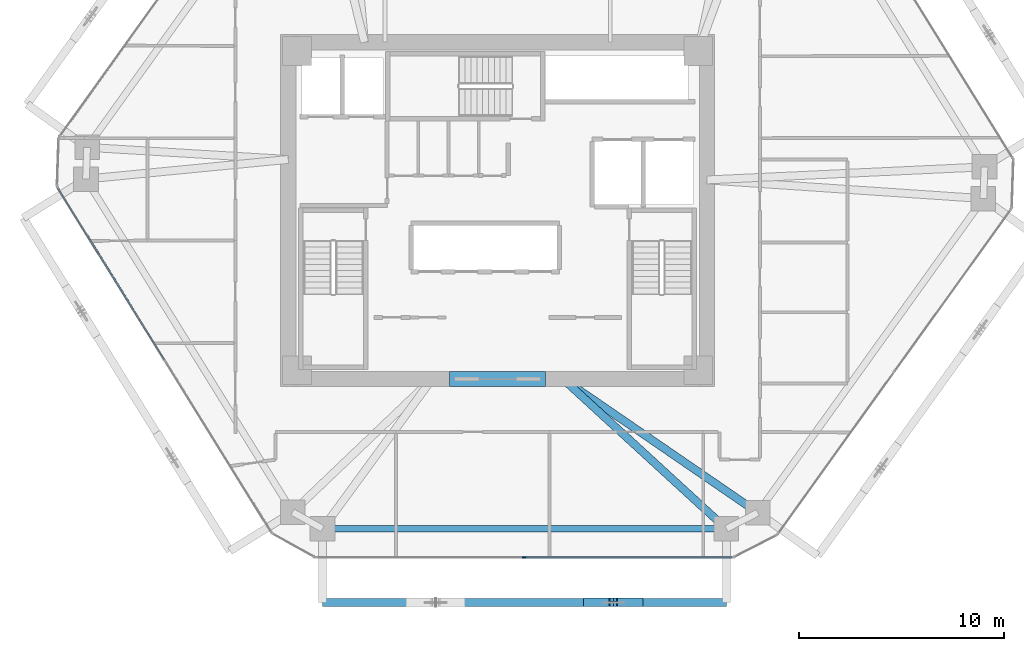
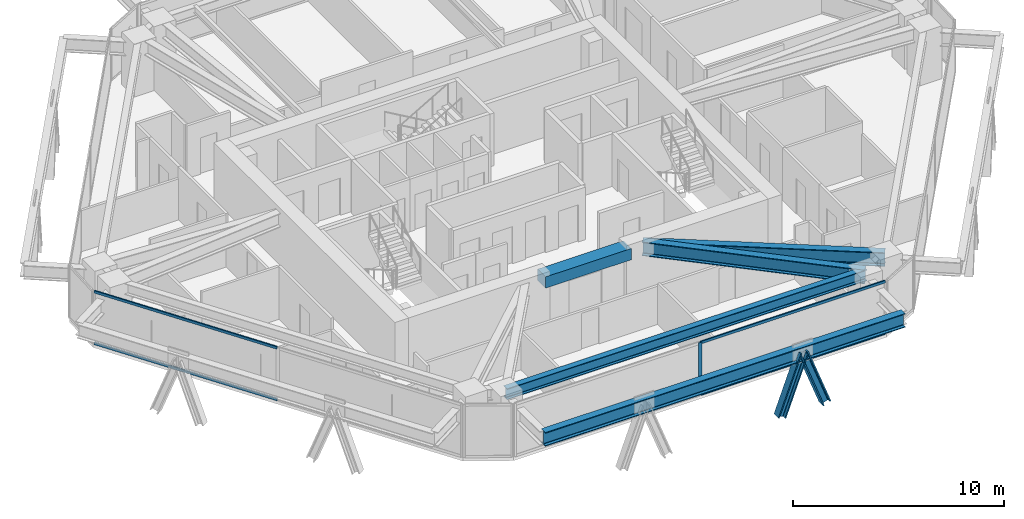
# One storey, part 3 of 16: 7 members, 5 beams, 2 elements without a shape of their own.
"""IFC4 building model written with IfcOpenShell, lengths in metres."""

import ifcopenshell
import ifcopenshell.guid

model = None  # the IFC model being written
_history = None  # IfcOwnerHistory: only IFC2X3 demands one
_inside = {}  # id of a spatial element -> (the spatial element, [elements in it])
_under = {}  # id of a project, library or spatial element -> (it, [spatial elements below it])
_declared = {}  # id of a project -> (the project, [libraries it declares])
_typed = {}  # id of a type object -> (the type object, [elements of that type])
_made_of = {}  # id of a material, layer set ... -> (it, [elements and type objects made of it])


def new_model(schema):
    """Start an empty IFC model of exactly this schema.

    Asked for "IFC4X3", IfcOpenShell would pick the latest addendum, in which some entities
    have other attributes; the version numbers below select the first issue.
    IFC2X3 requires an IfcOwnerHistory on every rooted entity: one is made here for all.
    """
    global model, _history
    if schema == "IFC4X3":
        model = ifcopenshell.file(schema_version=(4, 3, 0, 0))
    else:
        model = ifcopenshell.file(schema=schema)
    _inside.clear()
    _under.clear()
    _declared.clear()
    _typed.clear()
    _made_of.clear()
    _history = None
    if model.schema == "IFC2X3":
        org = make("IfcOrganization", Name="unknown")
        user = make(
            "IfcPersonAndOrganization",
            ThePerson=make("IfcPerson", FamilyName="unknown"),
            TheOrganization=org,
        )
        app = make(
            "IfcApplication",
            ApplicationDeveloper=org,
            Version="unknown",
            ApplicationFullName="unknown",
            ApplicationIdentifier="unknown",
        )
        _history = make(
            "IfcOwnerHistory",
            OwningUser=user,
            OwningApplication=app,
            ChangeAction="ADDED",
            CreationDate=0,
        )
    return model


def make(cls, **values):
    """One entity of the class cls with the attributes given. An attribute that is None is left unset."""
    return model.create_entity(
        cls, **{name: value for name, value in values.items() if value is not None}
    )


def rooted(cls, **values):
    """An entity with a GlobalId (a new one), such as an element, a storey or a relation."""
    return make(cls, GlobalId=ifcopenshell.guid.new(), OwnerHistory=_history, **values)


def si_unit(unit_type, name, prefix=None):
    """IfcSIUnit, for example si_unit("LENGTHUNIT", "METRE", prefix="MILLI")."""
    return make("IfcSIUnit", UnitType=unit_type, Prefix=prefix, Name=name)


def assignment(units):
    """IfcUnitAssignment: the units of a project."""
    return None if units is None else make("IfcUnitAssignment", Units=units)


def point(xyz):
    """IfcCartesianPoint."""
    return None if xyz is None else make("IfcCartesianPoint", Coordinates=xyz)


def direction(xyz):
    """IfcDirection."""
    return None if xyz is None else make("IfcDirection", DirectionRatios=xyz)


def frame(location, z_axis=None, x_axis=None):
    """IfcAxis2Placement3D, a coordinate frame: its origin and axes. An axis left out is left unset."""
    return make(
        "IfcAxis2Placement3D",
        Location=point(location),
        Axis=direction(z_axis),
        RefDirection=direction(x_axis),
    )


def frame_2d(location, x_axis=None):
    """IfcAxis2Placement2D, a coordinate frame in the plane: its origin and x axis."""
    return make(
        "IfcAxis2Placement2D", Location=point(location), RefDirection=direction(x_axis)
    )


def origin():
    """The frame at (0, 0, 0) with its axes left unset."""
    return frame((0.0, 0.0, 0.0))


def origin_2d():
    """The frame at (0, 0) in the plane with its x axis left unset."""
    return frame_2d((0.0, 0.0))


def place(relative_to, where):
    """IfcLocalPlacement: puts the frame where relative to a parent placement (None: the world)."""
    return make(
        "IfcLocalPlacement", PlacementRelTo=relative_to, RelativePlacement=where
    )


def context(
    kind, dimensions, precision=None, world=None, true_north=None, identifier=None
):
    """IfcGeometricRepresentationContext, for example the 3D "Model" context."""
    return make(
        "IfcGeometricRepresentationContext",
        ContextIdentifier=identifier,
        ContextType=kind,
        CoordinateSpaceDimension=dimensions,
        Precision=precision,
        WorldCoordinateSystem=world,
        TrueNorth=true_north,
    )


def subcontext(parent, identifier, kind, view, scale=None):
    """IfcGeometricRepresentationSubContext, for example "Body" below "Model"."""
    return make(
        "IfcGeometricRepresentationSubContext",
        ContextIdentifier=identifier,
        ContextType=kind,
        ParentContext=parent,
        TargetScale=scale,
        TargetView=view,
    )


def project(units=None, contexts=None):
    """IfcProject with its units and contexts."""
    return rooted(
        "IfcProject",
        Name="project",
        RepresentationContexts=contexts,
        UnitsInContext=assignment(units),
    )


def spatial(cls, under=None, at=None, **own):
    """A site, building, storey or space (cls), placed at a placement, below another one or the project."""
    s = rooted(cls, ObjectPlacement=at, **own)
    if under is not None:
        _under.setdefault(under.id(), (under, []))[1].append(s)
    return s


def profile(cls, at=None, kind="AREA", **sizes):
    """A parametric profile (cls). Its sizes go by their IFC names, for example OverallWidth=200.0."""
    return make(cls, ProfileType=kind, Position=at, **sizes)


def rectangle(**sizes):
    """IfcRectangleProfileDef."""
    return profile("IfcRectangleProfileDef", **sizes)


def i_section(**sizes):
    """IfcIShapeProfileDef."""
    return profile("IfcIShapeProfileDef", **sizes)


def extrude(swept, where, along, depth):
    """IfcExtrudedAreaSolid: the profile swept, set in the frame where, extruded along a direction by depth."""
    return make(
        "IfcExtrudedAreaSolid",
        SweptArea=swept,
        Position=where,
        ExtrudedDirection=direction(along),
        Depth=depth,
    )


def shape(context_of_items, identifier, shape_type, items):
    """IfcShapeRepresentation: the items that make up one representation, for example the "Body"."""
    return make(
        "IfcShapeRepresentation",
        ContextOfItems=context_of_items,
        RepresentationIdentifier=identifier,
        RepresentationType=shape_type,
        Items=items,
    )


def source(mapping_origin, context_of_items, identifier, shape_type, items):
    """IfcRepresentationMap: a shape defined once, which mapped items show again and again."""
    return make(
        "IfcRepresentationMap",
        MappingOrigin=mapping_origin,
        MappedRepresentation=shape(context_of_items, identifier, shape_type, items),
    )


def transform(
    local_origin,
    x_axis=None,
    y_axis=None,
    z_axis=None,
    scale=None,
    scale2=None,
    scale3=None,
    uniform=True,
):
    """IfcCartesianTransformationOperator3D, or its non-uniform kind. x_axis, y_axis, z_axis: its Axis1, 2, 3."""
    if uniform:
        return make(
            "IfcCartesianTransformationOperator3D",
            Axis1=direction(x_axis),
            Axis2=direction(y_axis),
            LocalOrigin=point(local_origin),
            Scale=scale,
            Axis3=direction(z_axis),
        )
    return make(
        "IfcCartesianTransformationOperator3DnonUniform",
        Axis1=direction(x_axis),
        Axis2=direction(y_axis),
        LocalOrigin=point(local_origin),
        Scale=scale,
        Axis3=direction(z_axis),
        Scale2=scale2,
        Scale3=scale3,
    )


def mapped(mapping_source, mapping_target):
    """IfcMappedItem: shows the shape of a source again, moved by a transform."""
    return make(
        "IfcMappedItem", MappingSource=mapping_source, MappingTarget=mapping_target
    )


def material(Name=None, Category=None):
    """IfcMaterial."""
    return make("IfcMaterial", Name=Name, Category=Category)


def layer(
    of_material, thickness, ventilated=None, Name=None, Category=None, Priority=None
):
    """IfcMaterialLayer: one layer of a wall or slab, of a material (None: an air gap)."""
    return make(
        "IfcMaterialLayer",
        Material=of_material,
        LayerThickness=thickness,
        IsVentilated=ventilated,
        Name=Name,
        Category=Category,
        Priority=Priority,
    )


def layer_set(layers, Name=None):
    """IfcMaterialLayerSet."""
    return make("IfcMaterialLayerSet", MaterialLayers=layers, LayerSetName=Name)


def material_profile(
    of_material, cross_section, Name=None, Category=None, Priority=None
):
    """IfcMaterialProfile: a cross section and its material."""
    return make(
        "IfcMaterialProfile",
        Name=Name,
        Material=of_material,
        Profile=cross_section,
        Priority=Priority,
        Category=Category,
    )


def profile_set(profiles, Name=None, composite=None):
    """IfcMaterialProfileSet."""
    return make(
        "IfcMaterialProfileSet",
        Name=Name,
        MaterialProfiles=profiles,
        CompositeProfile=composite,
    )


def made_of(thing, what):
    """Note that an element or type object is made of a material, layer set ...; save() writes the relation."""
    if what is not None:
        _made_of.setdefault(what.id(), (what, []))[1].append(thing)
    return thing


def type_object(cls, material=None, **own):
    """A type object (cls), such as IfcWallType, which elements share."""
    return made_of(rooted(cls, **own), material)


def type_shapes(of_type, sources):
    """Give a type object the sources (RepresentationMaps) that its elements show as mapped items."""
    of_type.RepresentationMaps = sources


def element(
    cls,
    number,
    at=None,
    inside=None,
    cuts=None,
    type_object=None,
    material=None,
    context=None,
    identifier="Body",
    shape_type=None,
    held_by="IfcProductDefinitionShape",
    body=None,
    shapes=None,
    **own,
):
    """One element of the class cls, such as IfcWall. Its Tag is "e" and its number.

    at: its placement. inside: the storey or other place that contains it. cuts: it is an
    opening in that element (IfcRelVoidsElement). A single representation is given by context,
    identifier, shape_type and body (its items); several are given by shapes. held_by: the class
    of the entity that holds the representations. save() writes the other relations.
    """
    e = rooted(cls, Tag="e%d" % number, ObjectPlacement=at, **own)
    if body is not None:
        shapes = [shape(context, identifier, shape_type, body)]
    if shapes is not None:
        e.Representation = make(held_by, Representations=shapes)
    if inside is not None:
        _inside.setdefault(inside.id(), (inside, []))[1].append(e)
    if cuts is not None:
        rooted(
            "IfcRelVoidsElement", RelatingBuildingElement=cuts, RelatedOpeningElement=e
        )
    if type_object is not None:
        _typed.setdefault(type_object.id(), (type_object, []))[1].append(e)
    return made_of(e, material)


def aggregate(whole, parts):
    """IfcRelAggregates: a whole, such as a stair, and the parts it consists of."""
    return rooted("IfcRelAggregates", RelatingObject=whole, RelatedObjects=parts)


def save(model, path):
    """Write the relations noted so far, then the file.

    IfcRelAggregates (storeys below a building ...), IfcRelContainedInSpatialStructure (elements
    in a storey), IfcRelDefinesByType, IfcRelAssociatesMaterial and IfcRelDeclares: one each for
    every whole, place, type object, material and project.
    """
    for whole, parts in _under.values():
        aggregate(whole, parts)
    for where, things in _inside.values():
        rooted(
            "IfcRelContainedInSpatialStructure",
            RelatedElements=things,
            RelatingStructure=where,
        )
    for kind, things in _typed.values():
        rooted("IfcRelDefinesByType", RelatedObjects=things, RelatingType=kind)
    for what, things in _made_of.values():
        rooted("IfcRelAssociatesMaterial", RelatedObjects=things, RelatingMaterial=what)
    for by, libraries in _declared.values():
        rooted("IfcRelDeclares", RelatingContext=by, RelatedDefinitions=libraries)
    model.write(path)


model = new_model("IFC4")

# Units and contexts
model_context = context("Model", 3, precision=1e-05, world=origin(), true_north=direction((0.0, 1.0)))
body_context = subcontext(model_context, "Body", "Model", "MODEL_VIEW")
ifc_project = project(units=[si_unit("LENGTHUNIT", "METRE"), si_unit("AREAUNIT", "SQUARE_METRE"), si_unit("VOLUMEUNIT", "CUBIC_METRE"), si_unit("PLANEANGLEUNIT", "RADIAN"), si_unit("MASSUNIT", "GRAM", prefix="KILO")], contexts=[model_context])

# Site, building, storey
site_placement = place(None, origin())
site = spatial("IfcSite", under=ifc_project, at=site_placement, CompositionType="ELEMENT")
building_placement = place(site_placement, origin())
building = spatial("IfcBuilding", under=site, at=building_placement, Name="Durnholm Broadcast Tower", CompositionType="ELEMENT")
storey_placement = place(building_placement, frame((0.0, 0.0, 123.89990234375)))
storey = spatial("IfcBuildingStorey", under=building, at=storey_placement, Name="L33", CompositionType="ELEMENT", Elevation=123.89990234375)

# Beams
ifc_material_1 = material(Name="Concrete C70/85", Category="concrete")
ifc_material_profile_1 = material_profile(ifc_material_1, rectangle(XDim=0.75, YDim=0.64990234375, at=origin_2d()), Name="RC750X650")
ifc_profile_set_1 = profile_set([ifc_material_profile_1], Name="Concrete C70/85")
beam_type_1 = type_object("IfcBeamType", Name="BM-CB-RC650", PredefinedType="LINTEL", material=ifc_profile_set_1)
shared_shape_1 = source(origin(), body_context, "Body", "SweptSolid", [
    extrude(rectangle(XDim=0.75, YDim=0.64990234375, at=origin_2d()), origin(), (0.0, 0.0, 1.0), 4.7001953125),
])
type_shapes(beam_type_1, [shared_shape_1])
beam_1_placement = place(storey_placement, frame((-2.35009765625, -8.22509765625, 2.72998046875), z_axis=(1.0, 0.0, 0.0), x_axis=(0.0, 1.0, 0.0)))
element("IfcBeam", 1, at=beam_1_placement, inside=storey, type_object=beam_type_1, Name="L33 south core coupling lintel beam CB-S", PredefinedType="LINTEL", context=body_context, shape_type="MappedRepresentation", body=[
    mapped(shared_shape_1, transform((0.0, 0.0, 0.0), x_axis=(1.0, 0.0, 0.0), y_axis=(0.0, 1.0, 0.0), z_axis=(0.0, 0.0, 1.0), scale=1.0)),
])
ifc_material_2 = material(Name="Steel ASTM A992 Grade 50", Category="steel")
ifc_material_profile_2 = material_profile(ifc_material_2, i_section(OverallWidth=0.3291015625, OverallDepth=0.635009765625, WebThickness=0.017822265625, FlangeThickness=0.031005859375, FilletRadius=0.02783203125, at=origin_2d()), Name="W24X162")
ifc_profile_set_2 = profile_set([ifc_material_profile_2], Name="Steel ASTM A992 Grade 50")
beam_type_2 = type_object("IfcBeamType", Name="STL-SP-W24X162", PredefinedType="SPANDREL", material=ifc_profile_set_2)
shared_shape_2 = source(origin(), body_context, "Body", "SweptSolid", [
    extrude(i_section(OverallWidth=0.3291015625, OverallDepth=0.635009765625, WebThickness=0.017822265625, FlangeThickness=0.031005859375, FilletRadius=0.02783203125, at=origin_2d()), origin(), (0.0, 0.0, 1.0), 19.72802734375),
])
type_shapes(beam_type_2, [shared_shape_2])
beam_2_placement = place(storey_placement, frame((11.176025390625, -15.537109375, 2.7275390625), z_axis=(-1.0, 0.0, 0.0), x_axis=(0.0, -1.0, 0.0)))
element("IfcBeam", 2, at=beam_2_placement, inside=storey, type_object=beam_type_2, Name="L33 perimeter spandrel girder 11", PredefinedType="SPANDREL", context=body_context, shape_type="MappedRepresentation", body=[
    mapped(shared_shape_2, transform((0.0, 0.0, 0.0), x_axis=(1.0, 0.0, 0.0), y_axis=(0.0, 1.0, 0.0), z_axis=(0.0, 0.0, 1.0), scale=1.0)),
])
ifc_material_profile_3 = material_profile(ifc_material_2, i_section(OverallWidth=0.385009765625, OverallDepth=0.802978515625, WebThickness=0.023681640625, FlangeThickness=0.0419921875, FilletRadius=0.032958984375, at=origin_2d()), Name="W30X261")
ifc_profile_set_3 = profile_set([ifc_material_profile_3], Name="Steel ASTM A992 Grade 50")
beam_type_3 = type_object("IfcBeamType", Name="STL-GR-W30X261", PredefinedType="USERDEFINED", material=ifc_profile_set_3)
shared_shape_3 = source(origin(), body_context, "Body", "SweptSolid", [
    extrude(i_section(OverallWidth=0.385009765625, OverallDepth=0.802978515625, WebThickness=0.023681640625, FlangeThickness=0.0419921875, FilletRadius=0.032958984375, at=origin_2d()), origin(), (0.0, 0.0, 1.0), 11.533447265625),
])
beam_3_placement = place(storey_placement, frame((3.199951171875, -8.22509765625, 2.6435546875), z_axis=(0.824567182461, -0.565764051181, 0.0), x_axis=(0.565764051181, 0.824567182461, 0.0)))
element("IfcBeam", 3, at=beam_3_placement, inside=storey, type_object=beam_type_3, Name="L33 radial primary floor girder 10", ObjectType="GIRDER", PredefinedType="USERDEFINED", context=body_context, shape_type="MappedRepresentation", body=[
    mapped(shared_shape_3, transform((0.0, 0.0, 0.0), x_axis=(1.0, 0.0, 0.0), y_axis=(0.0, 1.0, 0.0), z_axis=(0.0, 0.0, 1.0), scale=1.0)),
])
shared_shape_4 = source(origin(), body_context, "Body", "SweptSolid", [
    extrude(i_section(OverallWidth=0.385009765625, OverallDepth=0.802978515625, WebThickness=0.023681640625, FlangeThickness=0.0419921875, FilletRadius=0.032958984375, at=origin_2d()), origin(), (0.0, 0.0, 1.0), 10.820556640625),
])
type_shapes(beam_type_3, [shared_shape_3, shared_shape_4])
beam_4_placement = place(storey_placement, frame((3.199951171875, -8.22509765625, 2.6435546875), z_axis=(0.737126042516, -0.675755279258, 0.0), x_axis=(0.675755279258, 0.737126042516, 0.0)))
element("IfcBeam", 4, at=beam_4_placement, inside=storey, type_object=beam_type_3, Name="L33 radial primary floor girder 11", ObjectType="GIRDER", PredefinedType="USERDEFINED", context=body_context, shape_type="MappedRepresentation", body=[
    mapped(shared_shape_4, transform((0.0, 0.0, 0.0), x_axis=(1.0, 0.0, 0.0), y_axis=(0.0, 1.0, 0.0), z_axis=(0.0, 0.0, 1.0), scale=1.0)),
])
ifc_material_profile_4 = material_profile(ifc_material_2, i_section(OverallWidth=0.385009765625, OverallDepth=0.802978515625, WebThickness=0.023681640625, FlangeThickness=0.0419921875, FilletRadius=0.032958984375, at=origin_2d()), Name="W30X261")
ifc_profile_set_4 = profile_set([ifc_material_profile_4], Name="Steel ASTM A992 Grade 50")
beam_type_4 = type_object("IfcBeamType", Name="BM-EXO-TIE", PredefinedType="USERDEFINED", material=ifc_profile_set_4)
shared_shape_5 = source(origin(), body_context, "Body", "SweptSolid", [
    extrude(i_section(OverallWidth=0.385009765625, OverallDepth=0.802978515625, WebThickness=0.023681640625, FlangeThickness=0.0419921875, FilletRadius=0.032958984375, at=origin_2d()), origin(), (0.0, 0.0, 1.0), 19.72802734375),
])
type_shapes(beam_type_4, [shared_shape_5])
beam_5_placement = place(storey_placement, frame((-8.552001953125, -19.136962890625, 2.30859375), z_axis=(1.0, 0.0, 0.0), x_axis=(0.0, 1.0, 0.0)))
element("IfcBeam", 5, at=beam_5_placement, inside=storey, type_object=beam_type_4, Name="L33 exoskeleton collector spandrel F1", PredefinedType="SPANDREL", context=body_context, shape_type="MappedRepresentation", body=[
    mapped(shared_shape_5, transform((0.0, 0.0, 0.0), x_axis=(1.0, 0.0, 0.0), y_axis=(0.0, 1.0, 0.0), z_axis=(0.0, 0.0, 1.0), scale=1.0)),
])

# Members
ifc_material_3 = material(Name="Steel ASTM A913 Grade 65", Category="steel")
ifc_material_profile_5 = material_profile(ifc_material_3, i_section(OverallWidth=0.41845703125, OverallDepth=0.455078125, WebThickness=0.0419921875, FlangeThickness=0.067626953125, FilletRadius=0.030517578125, at=origin_2d()), Name="W14X370")
ifc_profile_set_5 = profile_set([ifc_material_profile_5], Name="Steel ASTM A913 Grade 65")
member_type_1 = type_object("IfcMemberType", Name="STL-DG-W14X370", PredefinedType="BRACE", material=ifc_profile_set_5)
shared_shape_6 = source(origin(), body_context, "Body", "SweptSolid", [
    extrude(i_section(OverallWidth=0.41845703125, OverallDepth=0.455078125, WebThickness=0.0419921875, FlangeThickness=0.067626953125, FilletRadius=0.030517578125, at=origin_2d()), origin(), (0.0, 0.0, 1.0), 3.52294921875),
])
type_shapes(member_type_1, [shared_shape_6])
for number, where, z_axis, x_axis, name in (
    (6, (4.41845703125, -19.136962890625, -0.9912109375), (0.350242321485, 0.0, 0.93665912489), (0.0, 1.0, 0.0), "L33 stand-off diagrid brace F1.D2.1"),
    (7, (6.885986328125, -19.136962890625, -0.9912109375), (-0.35018152026, 0.0, 0.936681857873), (0.0, -1.0, 0.0), "L33 stand-off diagrid brace F1.D2.2"),
):
    element("IfcMember", number, at=place(storey_placement, frame(where, z_axis=z_axis, x_axis=x_axis)), inside=storey, type_object=member_type_1, Name=name, PredefinedType="BRACE", context=body_context, shape_type="MappedRepresentation", body=[
        mapped(shared_shape_6, transform((0.0, 0.0, 0.0), x_axis=(1.0, 0.0, 0.0), y_axis=(0.0, 1.0, 0.0), z_axis=(0.0, 0.0, 1.0), scale=1.0)),
    ])

# Curtain wall, members
ifc_material_4 = material(Name="Aluminium and Solar Control IGU", Category="aluminium")
ifc_layer = layer(ifc_material_4, 0.18994140625)
ifc_layer_set = layer_set([ifc_layer], Name="Aluminium and Solar Control IGU")
curtain_wall_type = type_object("IfcCurtainWallType", Name="CW-SYS-3", PredefinedType="NOTDEFINED", material=ifc_layer_set)
curtain_wall_1_placement = place(storey_placement, origin())
curtain_wall_1 = element("IfcCurtainWall", 8, at=curtain_wall_1_placement, inside=storey, type_object=curtain_wall_type, Name="L33 curtain wall CW-Z12-VIS CW-L33-F10", PredefinedType="NOTDEFINED")
ifc_material_5 = material(Name="Aluminium 6063-T6", Category="aluminium")
ifc_material_profile_6 = material_profile(ifc_material_5, rectangle(XDim=0.070068359375, YDim=0.18994140625, at=origin_2d()), Name="CWM70X190")
ifc_profile_set_6 = profile_set([ifc_material_profile_6], Name="Aluminium 6063-T6")
member_type_2 = type_object("IfcMemberType", Name="CW-SYS-3-MUL", PredefinedType="MULLION", material=ifc_profile_set_6)
shared_shape_7 = source(origin(), body_context, "Body", "SweptSolid", [
    extrude(rectangle(XDim=0.070068359375, YDim=0.18994140625, at=origin_2d()), origin(), (0.0, 0.0, 1.0), 3.06005859375),
])
type_shapes(member_type_2, [shared_shape_7])
member_1_placement = place(storey_placement, frame((1.299560546875, -16.93701171875, 0.0), z_axis=(0.0, 0.0, 1.0), x_axis=(0.0, -1.0, 0.0)))
member_1 = element("IfcMember", 9, at=member_1_placement, type_object=member_type_2, Name="CW-Z12-VIS mullion 2", PredefinedType="MULLION", context=body_context, shape_type="MappedRepresentation", body=[
    mapped(shared_shape_7, transform((0.0, 0.0, 0.0), x_axis=(1.0, 0.0, 0.0), y_axis=(0.0, 1.0, 0.0), z_axis=(0.0, 0.0, 1.0), scale=1.0)),
])
ifc_material_profile_7 = material_profile(ifc_material_5, rectangle(XDim=0.070068359375, YDim=0.14990234375, at=origin_2d()), Name="CWT70X150")
ifc_profile_set_7 = profile_set([ifc_material_profile_7], Name="Aluminium 6063-T6")
member_type_3 = type_object("IfcMemberType", Name="CW-SYS-3-TRN", PredefinedType="USERDEFINED", material=ifc_profile_set_7)
shared_shape_8 = source(origin(), body_context, "Body", "SweptSolid", [
    extrude(rectangle(XDim=0.070068359375, YDim=0.14990234375, at=origin_2d()), origin(), (0.0, 0.0, 1.0), 10.109619140625),
])
member_2_placement = place(storey_placement, frame((11.444091796875, -16.93701171875, 0.03515625), z_axis=(-1.0, 0.0, 0.0), x_axis=(0.0, -1.0, 0.0)))
member_2 = element("IfcMember", 10, at=member_2_placement, type_object=member_type_3, Name="CW-Z12-VIS transom 1.1", ObjectType="TRANSOM", PredefinedType="USERDEFINED", context=body_context, shape_type="MappedRepresentation", body=[
    mapped(shared_shape_8, transform((0.0, 0.0, 0.0), x_axis=(1.0, 0.0, 0.0), y_axis=(0.0, 1.0, 0.0), z_axis=(0.0, 0.0, 1.0), scale=1.0)),
])
member_3_placement = place(storey_placement, frame((11.444091796875, -16.93701171875, 3.025146484375), z_axis=(-1.0, 0.0, 0.0), x_axis=(0.0, -1.0, 0.0)))
member_3 = element("IfcMember", 11, at=member_3_placement, type_object=member_type_3, Name="CW-Z12-VIS transom 1.2", ObjectType="TRANSOM", PredefinedType="USERDEFINED", context=body_context, shape_type="MappedRepresentation", body=[
    mapped(shared_shape_8, transform((0.0, 0.0, 0.0), x_axis=(1.0, 0.0, 0.0), y_axis=(0.0, 1.0, 0.0), z_axis=(0.0, 0.0, 1.0), scale=1.0)),
])
aggregate(curtain_wall_1, [member_1, member_2, member_3])

curtain_wall_2_placement = place(storey_placement, origin())
curtain_wall_2 = element("IfcCurtainWall", 12, at=curtain_wall_2_placement, inside=storey, type_object=curtain_wall_type, Name="L33 curtain wall CW-Z12-VIS CW-L33-F12", PredefinedType="NOTDEFINED")
shared_shape_9 = source(origin(), body_context, "Body", "SweptSolid", [
    extrude(rectangle(XDim=0.070068359375, YDim=0.14990234375, at=origin_2d()), origin(), (0.0, 0.0, 1.0), 9.85888671875),
])
type_shapes(member_type_3, [shared_shape_8, shared_shape_9])
member_4_placement = place(storey_placement, frame((-16.28271484375, -7.27294921875, 0.03515625), z_axis=(-0.527119964735, 0.849790881793, 0.0), x_axis=(-0.849790881793, -0.527119964735, 0.0)))
member_4 = element("IfcMember", 13, at=member_4_placement, type_object=member_type_3, Name="CW-Z12-VIS transom 2.1", ObjectType="TRANSOM", PredefinedType="USERDEFINED", context=body_context, shape_type="MappedRepresentation", body=[
    mapped(shared_shape_9, transform((0.0, 0.0, 0.0), x_axis=(1.0, 0.0, 0.0), y_axis=(0.0, 1.0, 0.0), z_axis=(0.0, 0.0, 1.0), scale=1.0)),
])
member_5_placement = place(storey_placement, frame((-16.28271484375, -7.27294921875, 3.025146484375), z_axis=(-0.527119964735, 0.849790881793, 0.0), x_axis=(-0.849790881793, -0.527119964735, 0.0)))
member_5 = element("IfcMember", 14, at=member_5_placement, type_object=member_type_3, Name="CW-Z12-VIS transom 2.2", ObjectType="TRANSOM", PredefinedType="USERDEFINED", context=body_context, shape_type="MappedRepresentation", body=[
    mapped(shared_shape_9, transform((0.0, 0.0, 0.0), x_axis=(1.0, 0.0, 0.0), y_axis=(0.0, 1.0, 0.0), z_axis=(0.0, 0.0, 1.0), scale=1.0)),
])
aggregate(curtain_wall_2, [member_4, member_5])

save(model, "model.ifc")
